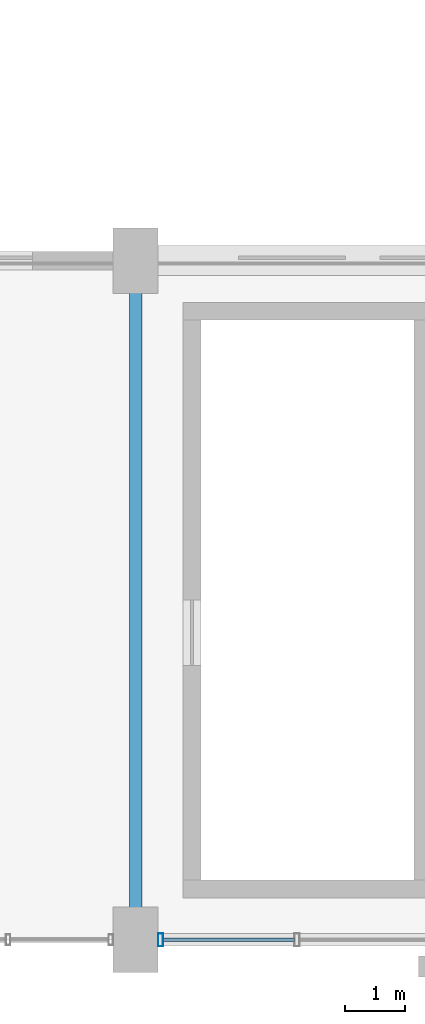
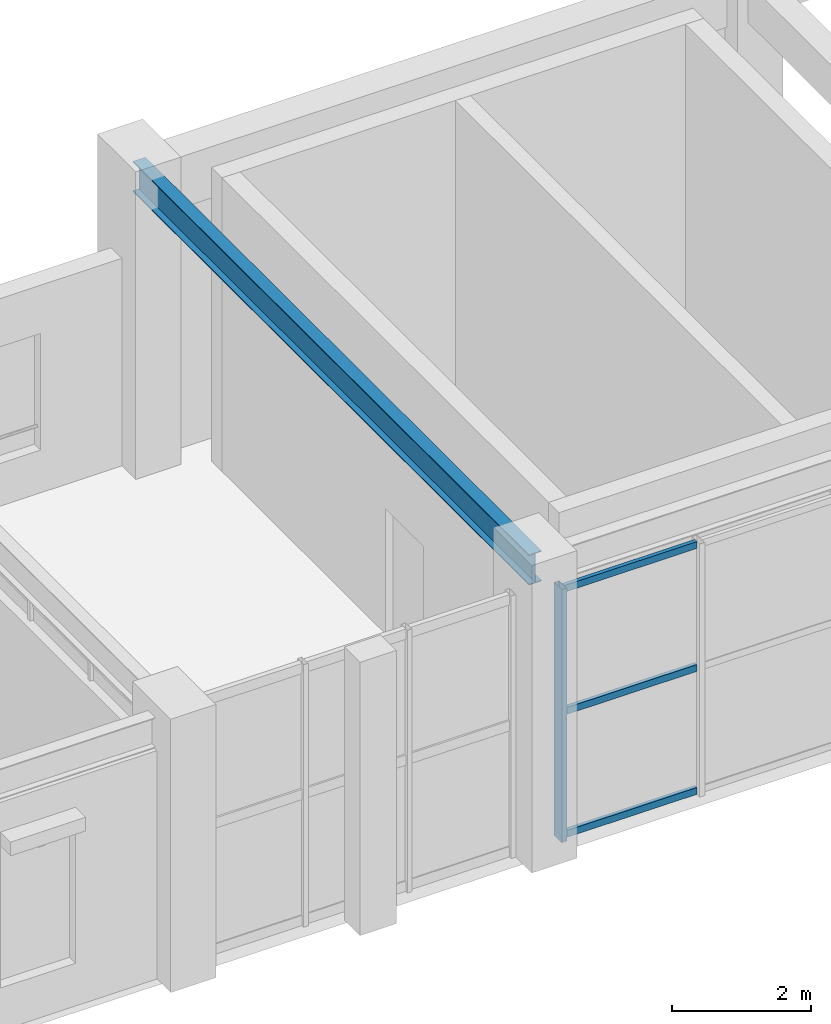
# One storey, part 18 of 106: 4 members, 1 beam, 1 element without a shape of its own.
"""IFC4 building model written with IfcOpenShell, lengths in metres."""

from ifc_helpers import new_model, si_unit, direction, frame, origin, origin_2d, place, context, subcontext, project, spatial, hollow_rectangle, i_section, extrude, material, layer, layer_set, material_profile, profile_set, type_object, element, aggregate, save


model = new_model("IFC4")

# Units and contexts
model_context = context("Model", 3, precision=1e-05, world=origin(), true_north=direction((0.0, 1.0)))
body_context = subcontext(model_context, "Body", "Model", "MODEL_VIEW")
ifc_project = project(units=[si_unit("LENGTHUNIT", "METRE"), si_unit("AREAUNIT", "SQUARE_METRE"), si_unit("VOLUMEUNIT", "CUBIC_METRE"), si_unit("PLANEANGLEUNIT", "RADIAN"), si_unit("MASSUNIT", "GRAM", prefix="KILO"), si_unit("POWERUNIT", "WATT"), si_unit("THERMODYNAMICTEMPERATUREUNIT", "KELVIN")], contexts=[model_context])

# Site, building, storey
site_placement = place(None, origin())
site = spatial("IfcSite", under=ifc_project, at=site_placement, CompositionType="ELEMENT")
building_placement = place(site_placement, origin())
building = spatial("IfcBuilding", under=site, at=building_placement, Name="Kelmbourne Parkland Aquatics Centre", CompositionType="ELEMENT")
storey_placement = place(building_placement, frame((0.0, 0.0, 5.39990234375)))
storey = spatial("IfcBuildingStorey", under=building, at=storey_placement, Name="L01", CompositionType="ELEMENT", Elevation=5.39990234375)

# Beam
ifc_material_1 = material(Name="Structural steel AS/NZS 3679.1 Grade 300", Category="steel")
ifc_material_profile_1 = material_profile(ifc_material_1, i_section(OverallWidth=0.208984375, OverallDepth=0.532958984375, WebThickness=0.01025390625, FlangeThickness=0.015625, at=origin_2d()), Name="530UB92.4")
ifc_profile_set_1 = profile_set([ifc_material_profile_1], Name="Structural steel AS/NZS 3679.1 Grade 300")
beam_type = type_object("IfcBeamType", Name="BM-SP02", PredefinedType="SPANDREL", material=ifc_profile_set_1)
beam_placement = place(storey_placement, frame((46.0, 0.800048828125, 4.8935546875), z_axis=(0.0, 1.0, 0.0), x_axis=(-1.0, 0.0, 0.0)))
element("IfcBeam", 1, at=beam_placement, inside=storey, type_object=beam_type, Name="Perimeter spandrel 01-03 Grid G (L02_FOY)", PredefinedType="SPANDREL", context=body_context, shape_type="SweptSolid", body=[
    extrude(i_section(OverallWidth=0.208984375, OverallDepth=0.532958984375, WebThickness=0.01025390625, FlangeThickness=0.015625, at=origin_2d()), origin(), (0.0, 0.0, 1.0), 11.39990234375),
])

# Curtain wall, members
ifc_material_2 = material(Name="Thermally broken anodised aluminium framing", Category="aluminium")
ifc_layer = layer(ifc_material_2, 0.179931640625)
ifc_layer_set = layer_set([ifc_layer], Name="Thermally broken anodised aluminium framing")
curtain_wall_type = type_object("IfcCurtainWallType", Name="CW-18", PredefinedType="NOTDEFINED", material=ifc_layer_set)
curtain_wall_placement = place(storey_placement, origin())
curtain_wall = element("IfcCurtainWall", 2, at=curtain_wall_placement, inside=storey, type_object=curtain_wall_type, Name="Facade curtain wall CW-L01-162", PredefinedType="NOTDEFINED")
ifc_material_profile_2 = material_profile(ifc_material_2, hollow_rectangle(XDim=0.0849609375, YDim=0.219970703125, WallThickness=0.0048828125, at=origin_2d()), Name="CW-M 85x220")
ifc_profile_set_2 = profile_set([ifc_material_profile_2], Name="Thermally broken anodised aluminium framing")
member_type_1 = type_object("IfcMemberType", Name="MB-MUL-3", PredefinedType="MULLION", material=ifc_profile_set_2)
member_1_placement = place(storey_placement, frame((46.41943359375, 0.800048828125, 0.0), z_axis=(0.0, 0.0, 1.0), x_axis=(1.0, 0.0, 0.0)))
member_1 = element("IfcMember", 3, at=member_1_placement, type_object=member_type_1, Name="CW-L01-162 mullion 0", PredefinedType="MULLION", context=body_context, shape_type="SweptSolid", body=[
    extrude(hollow_rectangle(XDim=0.0849609375, YDim=0.219970703125, WallThickness=0.0048828125, at=origin_2d()), origin(), (0.0, 0.0, 1.0), 4.445068359375),
])
ifc_material_profile_3 = material_profile(ifc_material_2, hollow_rectangle(XDim=0.06494140625, YDim=0.1201171875, WallThickness=0.00341796875, at=origin_2d()), Name="CW-T 65x120")
ifc_profile_set_3 = profile_set([ifc_material_profile_3], Name="Thermally broken anodised aluminium framing")
member_type_2 = type_object("IfcMemberType", Name="MB-TRN-1", PredefinedType="USERDEFINED", material=ifc_profile_set_3)
member_2_placement = place(storey_placement, frame((46.4580078125, 0.800048828125, 0.06298828125), z_axis=(1.0, 0.0, 0.0), x_axis=(0.0, 1.0, 0.0)))
member_2 = element("IfcMember", 4, at=member_2_placement, type_object=member_type_2, Name="CW-L01-162 transom 0-0", ObjectType="TRANSOM", PredefinedType="USERDEFINED", context=body_context, shape_type="SweptSolid", body=[
    extrude(hollow_rectangle(XDim=0.06494140625, YDim=0.1201171875, WallThickness=0.00341796875, at=origin_2d()), origin(), (0.0, 0.0, 1.0), 2.213134765625),
])
member_3_placement = place(storey_placement, frame((46.4580078125, 0.800048828125, 2.22265625), z_axis=(1.0, 0.0, 0.0), x_axis=(0.0, 1.0, 0.0)))
member_3 = element("IfcMember", 5, at=member_3_placement, type_object=member_type_2, Name="CW-L01-162 transom 1-0", ObjectType="TRANSOM", PredefinedType="USERDEFINED", context=body_context, shape_type="SweptSolid", body=[
    extrude(hollow_rectangle(XDim=0.06494140625, YDim=0.1201171875, WallThickness=0.00341796875, at=origin_2d()), origin(), (0.0, 0.0, 1.0), 2.213134765625),
])
member_4_placement = place(storey_placement, frame((46.4580078125, 0.800048828125, 4.382080078125), z_axis=(1.0, 0.0, 0.0), x_axis=(0.0, 1.0, 0.0)))
member_4 = element("IfcMember", 6, at=member_4_placement, type_object=member_type_2, Name="CW-L01-162 transom 2-0", ObjectType="TRANSOM", PredefinedType="USERDEFINED", context=body_context, shape_type="SweptSolid", body=[
    extrude(hollow_rectangle(XDim=0.06494140625, YDim=0.1201171875, WallThickness=0.00341796875, at=origin_2d()), origin(), (0.0, 0.0, 1.0), 2.213134765625),
])
aggregate(curtain_wall, [member_1, member_2, member_3, member_4])

save(model, "model.ifc")
